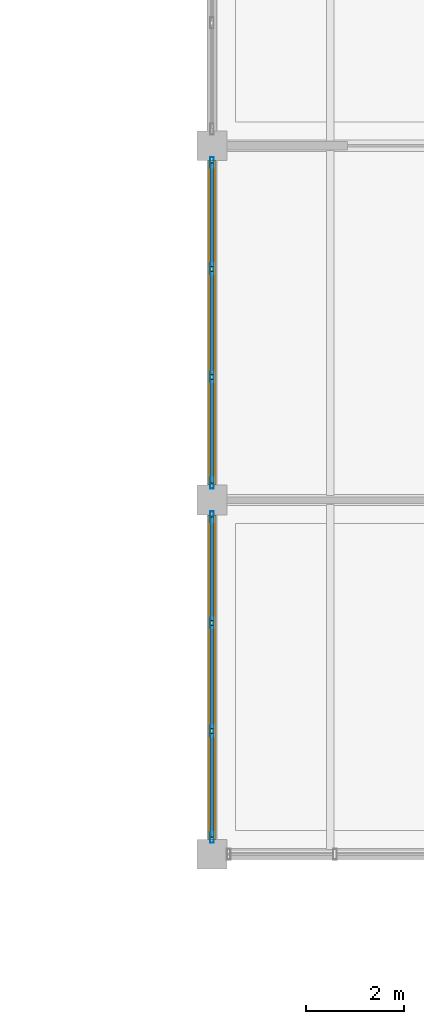
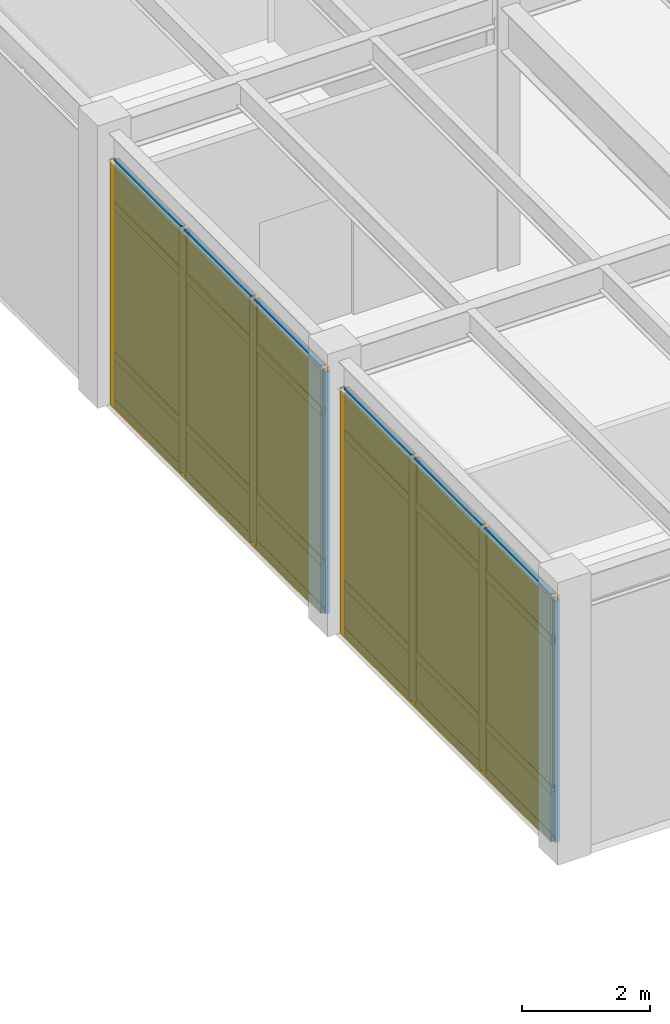
# One storey, part 48 of 97: 32 members, 12 plates, 2 curtain walls.
"""IFC4 building model written with IfcOpenShell, lengths in metres."""

import ifcopenshell
import ifcopenshell.guid

model = None  # the IFC model being written
_history = None  # IfcOwnerHistory: only IFC2X3 demands one
_inside = {}  # id of a spatial element -> (the spatial element, [elements in it])
_under = {}  # id of a project, library or spatial element -> (it, [spatial elements below it])
_declared = {}  # id of a project -> (the project, [libraries it declares])
_typed = {}  # id of a type object -> (the type object, [elements of that type])
_made_of = {}  # id of a material, layer set ... -> (it, [elements and type objects made of it])


def new_model(schema):
    """Start an empty IFC model of exactly this schema.

    Asked for "IFC4X3", IfcOpenShell would pick the latest addendum, in which some entities
    have other attributes; the version numbers below select the first issue.
    IFC2X3 requires an IfcOwnerHistory on every rooted entity: one is made here for all.
    """
    global model, _history
    if schema == "IFC4X3":
        model = ifcopenshell.file(schema_version=(4, 3, 0, 0))
    else:
        model = ifcopenshell.file(schema=schema)
    _inside.clear()
    _under.clear()
    _declared.clear()
    _typed.clear()
    _made_of.clear()
    _history = None
    if model.schema == "IFC2X3":
        org = make("IfcOrganization", Name="unknown")
        user = make(
            "IfcPersonAndOrganization",
            ThePerson=make("IfcPerson", FamilyName="unknown"),
            TheOrganization=org,
        )
        app = make(
            "IfcApplication",
            ApplicationDeveloper=org,
            Version="unknown",
            ApplicationFullName="unknown",
            ApplicationIdentifier="unknown",
        )
        _history = make(
            "IfcOwnerHistory",
            OwningUser=user,
            OwningApplication=app,
            ChangeAction="ADDED",
            CreationDate=0,
        )
    return model


def make(cls, **values):
    """One entity of the class cls with the attributes given. An attribute that is None is left unset."""
    return model.create_entity(
        cls, **{name: value for name, value in values.items() if value is not None}
    )


def rooted(cls, **values):
    """An entity with a GlobalId (a new one), such as an element, a storey or a relation."""
    return make(cls, GlobalId=ifcopenshell.guid.new(), OwnerHistory=_history, **values)


def si_unit(unit_type, name, prefix=None):
    """IfcSIUnit, for example si_unit("LENGTHUNIT", "METRE", prefix="MILLI")."""
    return make("IfcSIUnit", UnitType=unit_type, Prefix=prefix, Name=name)


def assignment(units):
    """IfcUnitAssignment: the units of a project."""
    return None if units is None else make("IfcUnitAssignment", Units=units)


def point(xyz):
    """IfcCartesianPoint."""
    return None if xyz is None else make("IfcCartesianPoint", Coordinates=xyz)


def direction(xyz):
    """IfcDirection."""
    return None if xyz is None else make("IfcDirection", DirectionRatios=xyz)


def frame(location, z_axis=None, x_axis=None):
    """IfcAxis2Placement3D, a coordinate frame: its origin and axes. An axis left out is left unset."""
    return make(
        "IfcAxis2Placement3D",
        Location=point(location),
        Axis=direction(z_axis),
        RefDirection=direction(x_axis),
    )


def frame_2d(location, x_axis=None):
    """IfcAxis2Placement2D, a coordinate frame in the plane: its origin and x axis."""
    return make(
        "IfcAxis2Placement2D", Location=point(location), RefDirection=direction(x_axis)
    )


def origin():
    """The frame at (0, 0, 0) with its axes left unset."""
    return frame((0.0, 0.0, 0.0))


def origin_2d():
    """The frame at (0, 0) in the plane with its x axis left unset."""
    return frame_2d((0.0, 0.0))


def place(relative_to, where):
    """IfcLocalPlacement: puts the frame where relative to a parent placement (None: the world)."""
    return make(
        "IfcLocalPlacement", PlacementRelTo=relative_to, RelativePlacement=where
    )


def context(
    kind, dimensions, precision=None, world=None, true_north=None, identifier=None
):
    """IfcGeometricRepresentationContext, for example the 3D "Model" context."""
    return make(
        "IfcGeometricRepresentationContext",
        ContextIdentifier=identifier,
        ContextType=kind,
        CoordinateSpaceDimension=dimensions,
        Precision=precision,
        WorldCoordinateSystem=world,
        TrueNorth=true_north,
    )


def subcontext(parent, identifier, kind, view, scale=None):
    """IfcGeometricRepresentationSubContext, for example "Body" below "Model"."""
    return make(
        "IfcGeometricRepresentationSubContext",
        ContextIdentifier=identifier,
        ContextType=kind,
        ParentContext=parent,
        TargetScale=scale,
        TargetView=view,
    )


def project(units=None, contexts=None):
    """IfcProject with its units and contexts."""
    return rooted(
        "IfcProject",
        Name="project",
        RepresentationContexts=contexts,
        UnitsInContext=assignment(units),
    )


def spatial(cls, under=None, at=None, **own):
    """A site, building, storey or space (cls), placed at a placement, below another one or the project."""
    s = rooted(cls, ObjectPlacement=at, **own)
    if under is not None:
        _under.setdefault(under.id(), (under, []))[1].append(s)
    return s


def profile(cls, at=None, kind="AREA", **sizes):
    """A parametric profile (cls). Its sizes go by their IFC names, for example OverallWidth=200.0."""
    return make(cls, ProfileType=kind, Position=at, **sizes)


def rectangle(**sizes):
    """IfcRectangleProfileDef."""
    return profile("IfcRectangleProfileDef", **sizes)


def hollow_rectangle(**sizes):
    """IfcRectangleHollowProfileDef."""
    return profile("IfcRectangleHollowProfileDef", **sizes)


def extrude(swept, where, along, depth):
    """IfcExtrudedAreaSolid: the profile swept, set in the frame where, extruded along a direction by depth."""
    return make(
        "IfcExtrudedAreaSolid",
        SweptArea=swept,
        Position=where,
        ExtrudedDirection=direction(along),
        Depth=depth,
    )


def shape(context_of_items, identifier, shape_type, items):
    """IfcShapeRepresentation: the items that make up one representation, for example the "Body"."""
    return make(
        "IfcShapeRepresentation",
        ContextOfItems=context_of_items,
        RepresentationIdentifier=identifier,
        RepresentationType=shape_type,
        Items=items,
    )


def material(Name=None, Category=None):
    """IfcMaterial."""
    return make("IfcMaterial", Name=Name, Category=Category)


def layer(
    of_material, thickness, ventilated=None, Name=None, Category=None, Priority=None
):
    """IfcMaterialLayer: one layer of a wall or slab, of a material (None: an air gap)."""
    return make(
        "IfcMaterialLayer",
        Material=of_material,
        LayerThickness=thickness,
        IsVentilated=ventilated,
        Name=Name,
        Category=Category,
        Priority=Priority,
    )


def layer_set(layers, Name=None):
    """IfcMaterialLayerSet."""
    return make("IfcMaterialLayerSet", MaterialLayers=layers, LayerSetName=Name)


def material_profile(
    of_material, cross_section, Name=None, Category=None, Priority=None
):
    """IfcMaterialProfile: a cross section and its material."""
    return make(
        "IfcMaterialProfile",
        Name=Name,
        Material=of_material,
        Profile=cross_section,
        Priority=Priority,
        Category=Category,
    )


def profile_set(profiles, Name=None, composite=None):
    """IfcMaterialProfileSet."""
    return make(
        "IfcMaterialProfileSet",
        Name=Name,
        MaterialProfiles=profiles,
        CompositeProfile=composite,
    )


def made_of(thing, what):
    """Note that an element or type object is made of a material, layer set ...; save() writes the relation."""
    if what is not None:
        _made_of.setdefault(what.id(), (what, []))[1].append(thing)
    return thing


def type_object(cls, material=None, **own):
    """A type object (cls), such as IfcWallType, which elements share."""
    return made_of(rooted(cls, **own), material)


def element(
    cls,
    number,
    at=None,
    inside=None,
    cuts=None,
    type_object=None,
    material=None,
    context=None,
    identifier="Body",
    shape_type=None,
    held_by="IfcProductDefinitionShape",
    body=None,
    shapes=None,
    **own,
):
    """One element of the class cls, such as IfcWall. Its Tag is "e" and its number.

    at: its placement. inside: the storey or other place that contains it. cuts: it is an
    opening in that element (IfcRelVoidsElement). A single representation is given by context,
    identifier, shape_type and body (its items); several are given by shapes. held_by: the class
    of the entity that holds the representations. save() writes the other relations.
    """
    e = rooted(cls, Tag="e%d" % number, ObjectPlacement=at, **own)
    if body is not None:
        shapes = [shape(context, identifier, shape_type, body)]
    if shapes is not None:
        e.Representation = make(held_by, Representations=shapes)
    if inside is not None:
        _inside.setdefault(inside.id(), (inside, []))[1].append(e)
    if cuts is not None:
        rooted(
            "IfcRelVoidsElement", RelatingBuildingElement=cuts, RelatedOpeningElement=e
        )
    if type_object is not None:
        _typed.setdefault(type_object.id(), (type_object, []))[1].append(e)
    return made_of(e, material)


def aggregate(whole, parts):
    """IfcRelAggregates: a whole, such as a stair, and the parts it consists of."""
    return rooted("IfcRelAggregates", RelatingObject=whole, RelatedObjects=parts)


def save(model, path):
    """Write the relations noted so far, then the file.

    IfcRelAggregates (storeys below a building ...), IfcRelContainedInSpatialStructure (elements
    in a storey), IfcRelDefinesByType, IfcRelAssociatesMaterial and IfcRelDeclares: one each for
    every whole, place, type object, material and project.
    """
    for whole, parts in _under.values():
        aggregate(whole, parts)
    for where, things in _inside.values():
        rooted(
            "IfcRelContainedInSpatialStructure",
            RelatedElements=things,
            RelatingStructure=where,
        )
    for kind, things in _typed.values():
        rooted("IfcRelDefinesByType", RelatedObjects=things, RelatingType=kind)
    for what, things in _made_of.values():
        rooted("IfcRelAssociatesMaterial", RelatedObjects=things, RelatingMaterial=what)
    for by, libraries in _declared.values():
        rooted("IfcRelDeclares", RelatingContext=by, RelatedDefinitions=libraries)
    model.write(path)


model = new_model("IFC4")

# Units and contexts
model_context = context("Model", 3, precision=1e-05, world=origin(), true_north=direction((0.0, 1.0)))
body_context = subcontext(model_context, "Body", "Model", "MODEL_VIEW")
ifc_project = project(units=[si_unit("LENGTHUNIT", "METRE"), si_unit("AREAUNIT", "SQUARE_METRE"), si_unit("VOLUMEUNIT", "CUBIC_METRE"), si_unit("PLANEANGLEUNIT", "RADIAN"), si_unit("MASSUNIT", "GRAM", prefix="KILO")], contexts=[model_context])

# Member
ifc_material_1 = material(Name="Anodized Aluminium 6063-T6", Category="aluminium")
ifc_material_profile_1 = material_profile(ifc_material_1, hollow_rectangle(XDim=0.074951171875, YDim=0.219970703125, WallThickness=0.0048828125, at=origin_2d()), Name="ALU 75x220x5")
ifc_profile_set_1 = profile_set([ifc_material_profile_1], Name="Anodized Aluminium 6063-T6")
member_type_1 = type_object("IfcMemberType", Name="CWM-75X180", PredefinedType="MULLION", material=ifc_profile_set_1)
site_placement = place(None, origin())
building_placement = place(site_placement, origin())
storey_placement = place(building_placement, origin())
member_1_placement = place(storey_placement, frame((64.800048828125, 7.5400390625, 0.02001953125), z_axis=(0.0, 0.0, 1.0), x_axis=(1.0, 0.0, 0.0)))
member_1 = element("IfcMember", 1, at=member_1_placement, type_object=member_type_1, Name="Curtain wall mullion CW-L01-09-01-W-00", PredefinedType="MULLION", context=body_context, shape_type="SweptSolid", body=[
    extrude(hollow_rectangle(XDim=0.074951171875, YDim=0.219970703125, WallThickness=0.0048828125, at=origin_2d()), origin(), (0.0, 0.0, 1.0), 4.626953125),
])

member_2_placement = place(storey_placement, frame((64.800048828125, 9.699951171875, 0.02001953125), z_axis=(0.0, 0.0, 1.0), x_axis=(1.0, 0.0, 0.0)))
member_2 = element("IfcMember", 2, at=member_2_placement, type_object=member_type_1, Name="Curtain wall mullion CW-L01-09-01-W-01", PredefinedType="MULLION", context=body_context, shape_type="SweptSolid", body=[
    extrude(hollow_rectangle(XDim=0.074951171875, YDim=0.219970703125, WallThickness=0.0048828125, at=origin_2d()), origin(), (0.0, 0.0, 1.0), 4.626953125),
])

member_3_placement = place(storey_placement, frame((64.800048828125, 11.89990234375, 0.02001953125), z_axis=(0.0, 0.0, 1.0), x_axis=(1.0, 0.0, 0.0)))
member_3 = element("IfcMember", 3, at=member_3_placement, type_object=member_type_1, Name="Curtain wall mullion CW-L01-09-01-W-02", PredefinedType="MULLION", context=body_context, shape_type="SweptSolid", body=[
    extrude(hollow_rectangle(XDim=0.074951171875, YDim=0.219970703125, WallThickness=0.0048828125, at=origin_2d()), origin(), (0.0, 0.0, 1.0), 4.626953125),
])

member_4_placement = place(storey_placement, frame((64.800048828125, 14.06005859375, 0.02001953125), z_axis=(0.0, 0.0, 1.0), x_axis=(1.0, 0.0, 0.0)))
member_4 = element("IfcMember", 4, at=member_4_placement, type_object=member_type_1, Name="Curtain wall mullion CW-L01-09-01-W-03", PredefinedType="MULLION", context=body_context, shape_type="SweptSolid", body=[
    extrude(hollow_rectangle(XDim=0.074951171875, YDim=0.219970703125, WallThickness=0.0048828125, at=origin_2d()), origin(), (0.0, 0.0, 1.0), 4.626953125),
])

member_5_placement = place(storey_placement, frame((64.800048828125, 14.739990234375, 0.02001953125), z_axis=(0.0, 0.0, 1.0), x_axis=(1.0, 0.0, 0.0)))
member_5 = element("IfcMember", 5, at=member_5_placement, type_object=member_type_1, Name="Curtain wall mullion CW-L01-09-02-W-00", PredefinedType="MULLION", context=body_context, shape_type="SweptSolid", body=[
    extrude(hollow_rectangle(XDim=0.074951171875, YDim=0.219970703125, WallThickness=0.0048828125, at=origin_2d()), origin(), (0.0, 0.0, 1.0), 4.626953125),
])

member_6_placement = place(storey_placement, frame((64.800048828125, 16.89990234375, 0.02001953125), z_axis=(0.0, 0.0, 1.0), x_axis=(1.0, 0.0, 0.0)))
member_6 = element("IfcMember", 6, at=member_6_placement, type_object=member_type_1, Name="Curtain wall mullion CW-L01-09-02-W-01", PredefinedType="MULLION", context=body_context, shape_type="SweptSolid", body=[
    extrude(hollow_rectangle(XDim=0.074951171875, YDim=0.219970703125, WallThickness=0.0048828125, at=origin_2d()), origin(), (0.0, 0.0, 1.0), 4.626953125),
])

member_7_placement = place(storey_placement, frame((64.800048828125, 19.10009765625, 0.02001953125), z_axis=(0.0, 0.0, 1.0), x_axis=(1.0, 0.0, 0.0)))
member_7 = element("IfcMember", 7, at=member_7_placement, type_object=member_type_1, Name="Curtain wall mullion CW-L01-09-02-W-02", PredefinedType="MULLION", context=body_context, shape_type="SweptSolid", body=[
    extrude(hollow_rectangle(XDim=0.074951171875, YDim=0.219970703125, WallThickness=0.0048828125, at=origin_2d()), origin(), (0.0, 0.0, 1.0), 4.626953125),
])

member_8_placement = place(storey_placement, frame((64.800048828125, 21.260009765625, 0.02001953125), z_axis=(0.0, 0.0, 1.0), x_axis=(1.0, 0.0, 0.0)))
member_8 = element("IfcMember", 8, at=member_8_placement, type_object=member_type_1, Name="Curtain wall mullion CW-L01-09-02-W-03", PredefinedType="MULLION", context=body_context, shape_type="SweptSolid", body=[
    extrude(hollow_rectangle(XDim=0.074951171875, YDim=0.219970703125, WallThickness=0.0048828125, at=origin_2d()), origin(), (0.0, 0.0, 1.0), 4.626953125),
])

ifc_material_profile_2 = material_profile(ifc_material_1, hollow_rectangle(XDim=0.074951171875, YDim=0.159912109375, WallThickness=0.00390625, at=origin_2d()), Name="ALU 75x160x4")
ifc_profile_set_2 = profile_set([ifc_material_profile_2], Name="Anodized Aluminium 6063-T6")
member_type_2 = type_object("IfcMemberType", Name="CWT-75X150", PredefinedType="USERDEFINED", material=ifc_profile_set_2)
member_9_placement = place(storey_placement, frame((64.800048828125, 7.550048828125, 0.050048828125), z_axis=(0.0, 1.0, 0.0), x_axis=(-1.0, 0.0, 0.0)))
member_9 = element("IfcMember", 9, at=member_9_placement, type_object=member_type_2, Name="Curtain wall transom CW-L01-09-01-W-1.01", ObjectType="TRANSOM", PredefinedType="USERDEFINED", context=body_context, shape_type="SweptSolid", body=[
    extrude(hollow_rectangle(XDim=0.074951171875, YDim=0.159912109375, WallThickness=0.00390625, at=origin_2d()), origin(), (0.0, 0.0, 1.0), 2.099853515625),
])

member_10_placement = place(storey_placement, frame((64.800048828125, 9.75, 0.050048828125), z_axis=(0.0, 1.0, 0.0), x_axis=(-1.0, 0.0, 0.0)))
member_10 = element("IfcMember", 10, at=member_10_placement, type_object=member_type_2, Name="Curtain wall transom CW-L01-09-01-W-1.02", ObjectType="TRANSOM", PredefinedType="USERDEFINED", context=body_context, shape_type="SweptSolid", body=[
    extrude(hollow_rectangle(XDim=0.074951171875, YDim=0.159912109375, WallThickness=0.00390625, at=origin_2d()), origin(), (0.0, 0.0, 1.0), 2.10009765625),
])

member_11_placement = place(storey_placement, frame((64.800048828125, 11.949951171875, 0.050048828125), z_axis=(0.0, 1.0, 0.0), x_axis=(-1.0, 0.0, 0.0)))
member_11 = element("IfcMember", 11, at=member_11_placement, type_object=member_type_2, Name="Curtain wall transom CW-L01-09-01-W-1.03", ObjectType="TRANSOM", PredefinedType="USERDEFINED", context=body_context, shape_type="SweptSolid", body=[
    extrude(hollow_rectangle(XDim=0.074951171875, YDim=0.159912109375, WallThickness=0.00390625, at=origin_2d()), origin(), (0.0, 0.0, 1.0), 2.10009765625),
])

member_12_placement = place(storey_placement, frame((64.800048828125, 7.550048828125, 0.949951171875), z_axis=(0.0, 1.0, 0.0), x_axis=(-1.0, 0.0, 0.0)))
member_12 = element("IfcMember", 12, at=member_12_placement, type_object=member_type_2, Name="Curtain wall transom CW-L01-09-01-W-2.01", ObjectType="TRANSOM", PredefinedType="USERDEFINED", context=body_context, shape_type="SweptSolid", body=[
    extrude(hollow_rectangle(XDim=0.074951171875, YDim=0.159912109375, WallThickness=0.00390625, at=origin_2d()), origin(), (0.0, 0.0, 1.0), 2.099853515625),
])

member_13_placement = place(storey_placement, frame((64.800048828125, 9.75, 0.949951171875), z_axis=(0.0, 1.0, 0.0), x_axis=(-1.0, 0.0, 0.0)))
member_13 = element("IfcMember", 13, at=member_13_placement, type_object=member_type_2, Name="Curtain wall transom CW-L01-09-01-W-2.02", ObjectType="TRANSOM", PredefinedType="USERDEFINED", context=body_context, shape_type="SweptSolid", body=[
    extrude(hollow_rectangle(XDim=0.074951171875, YDim=0.159912109375, WallThickness=0.00390625, at=origin_2d()), origin(), (0.0, 0.0, 1.0), 2.10009765625),
])

member_14_placement = place(storey_placement, frame((64.800048828125, 11.949951171875, 0.949951171875), z_axis=(0.0, 1.0, 0.0), x_axis=(-1.0, 0.0, 0.0)))
member_14 = element("IfcMember", 14, at=member_14_placement, type_object=member_type_2, Name="Curtain wall transom CW-L01-09-01-W-2.03", ObjectType="TRANSOM", PredefinedType="USERDEFINED", context=body_context, shape_type="SweptSolid", body=[
    extrude(hollow_rectangle(XDim=0.074951171875, YDim=0.159912109375, WallThickness=0.00390625, at=origin_2d()), origin(), (0.0, 0.0, 1.0), 2.10009765625),
])

member_15_placement = place(storey_placement, frame((64.800048828125, 7.550048828125, 3.81689453125), z_axis=(0.0, 1.0, 0.0), x_axis=(-1.0, 0.0, 0.0)))
member_15 = element("IfcMember", 15, at=member_15_placement, type_object=member_type_2, Name="Curtain wall transom CW-L01-09-01-W-3.01", ObjectType="TRANSOM", PredefinedType="USERDEFINED", context=body_context, shape_type="SweptSolid", body=[
    extrude(hollow_rectangle(XDim=0.074951171875, YDim=0.159912109375, WallThickness=0.00390625, at=origin_2d()), origin(), (0.0, 0.0, 1.0), 2.099853515625),
])

member_16_placement = place(storey_placement, frame((64.800048828125, 9.75, 3.81689453125), z_axis=(0.0, 1.0, 0.0), x_axis=(-1.0, 0.0, 0.0)))
member_16 = element("IfcMember", 16, at=member_16_placement, type_object=member_type_2, Name="Curtain wall transom CW-L01-09-01-W-3.02", ObjectType="TRANSOM", PredefinedType="USERDEFINED", context=body_context, shape_type="SweptSolid", body=[
    extrude(hollow_rectangle(XDim=0.074951171875, YDim=0.159912109375, WallThickness=0.00390625, at=origin_2d()), origin(), (0.0, 0.0, 1.0), 2.10009765625),
])

member_17_placement = place(storey_placement, frame((64.800048828125, 11.949951171875, 3.81689453125), z_axis=(0.0, 1.0, 0.0), x_axis=(-1.0, 0.0, 0.0)))
member_17 = element("IfcMember", 17, at=member_17_placement, type_object=member_type_2, Name="Curtain wall transom CW-L01-09-01-W-3.03", ObjectType="TRANSOM", PredefinedType="USERDEFINED", context=body_context, shape_type="SweptSolid", body=[
    extrude(hollow_rectangle(XDim=0.074951171875, YDim=0.159912109375, WallThickness=0.00390625, at=origin_2d()), origin(), (0.0, 0.0, 1.0), 2.10009765625),
])

member_18_placement = place(storey_placement, frame((64.800048828125, 7.550048828125, 4.616943359375), z_axis=(0.0, 1.0, 0.0), x_axis=(-1.0, 0.0, 0.0)))
member_18 = element("IfcMember", 18, at=member_18_placement, type_object=member_type_2, Name="Curtain wall transom CW-L01-09-01-W-4.01", ObjectType="TRANSOM", PredefinedType="USERDEFINED", context=body_context, shape_type="SweptSolid", body=[
    extrude(hollow_rectangle(XDim=0.074951171875, YDim=0.159912109375, WallThickness=0.00390625, at=origin_2d()), origin(), (0.0, 0.0, 1.0), 2.099853515625),
])

member_19_placement = place(storey_placement, frame((64.800048828125, 9.75, 4.616943359375), z_axis=(0.0, 1.0, 0.0), x_axis=(-1.0, 0.0, 0.0)))
member_19 = element("IfcMember", 19, at=member_19_placement, type_object=member_type_2, Name="Curtain wall transom CW-L01-09-01-W-4.02", ObjectType="TRANSOM", PredefinedType="USERDEFINED", context=body_context, shape_type="SweptSolid", body=[
    extrude(hollow_rectangle(XDim=0.074951171875, YDim=0.159912109375, WallThickness=0.00390625, at=origin_2d()), origin(), (0.0, 0.0, 1.0), 2.10009765625),
])

member_20_placement = place(storey_placement, frame((64.800048828125, 11.949951171875, 4.616943359375), z_axis=(0.0, 1.0, 0.0), x_axis=(-1.0, 0.0, 0.0)))
member_20 = element("IfcMember", 20, at=member_20_placement, type_object=member_type_2, Name="Curtain wall transom CW-L01-09-01-W-4.03", ObjectType="TRANSOM", PredefinedType="USERDEFINED", context=body_context, shape_type="SweptSolid", body=[
    extrude(hollow_rectangle(XDim=0.074951171875, YDim=0.159912109375, WallThickness=0.00390625, at=origin_2d()), origin(), (0.0, 0.0, 1.0), 2.10009765625),
])

member_21_placement = place(storey_placement, frame((64.800048828125, 14.75, 0.050048828125), z_axis=(0.0, 1.0, 0.0), x_axis=(-1.0, 0.0, 0.0)))
member_21 = element("IfcMember", 21, at=member_21_placement, type_object=member_type_2, Name="Curtain wall transom CW-L01-09-02-W-1.01", ObjectType="TRANSOM", PredefinedType="USERDEFINED", context=body_context, shape_type="SweptSolid", body=[
    extrude(hollow_rectangle(XDim=0.074951171875, YDim=0.159912109375, WallThickness=0.00390625, at=origin_2d()), origin(), (0.0, 0.0, 1.0), 2.10009765625),
])

member_22_placement = place(storey_placement, frame((64.800048828125, 16.949951171875, 0.050048828125), z_axis=(0.0, 1.0, 0.0), x_axis=(-1.0, 0.0, 0.0)))
member_22 = element("IfcMember", 22, at=member_22_placement, type_object=member_type_2, Name="Curtain wall transom CW-L01-09-02-W-1.02", ObjectType="TRANSOM", PredefinedType="USERDEFINED", context=body_context, shape_type="SweptSolid", body=[
    extrude(hollow_rectangle(XDim=0.074951171875, YDim=0.159912109375, WallThickness=0.00390625, at=origin_2d()), origin(), (0.0, 0.0, 1.0), 2.10009765625),
])

member_23_placement = place(storey_placement, frame((64.800048828125, 19.14990234375, 0.050048828125), z_axis=(0.0, 1.0, 0.0), x_axis=(-1.0, 0.0, 0.0)))
member_23 = element("IfcMember", 23, at=member_23_placement, type_object=member_type_2, Name="Curtain wall transom CW-L01-09-02-W-1.03", ObjectType="TRANSOM", PredefinedType="USERDEFINED", context=body_context, shape_type="SweptSolid", body=[
    extrude(hollow_rectangle(XDim=0.074951171875, YDim=0.159912109375, WallThickness=0.00390625, at=origin_2d()), origin(), (0.0, 0.0, 1.0), 2.10009765625),
])

member_24_placement = place(storey_placement, frame((64.800048828125, 14.75, 0.949951171875), z_axis=(0.0, 1.0, 0.0), x_axis=(-1.0, 0.0, 0.0)))
member_24 = element("IfcMember", 24, at=member_24_placement, type_object=member_type_2, Name="Curtain wall transom CW-L01-09-02-W-2.01", ObjectType="TRANSOM", PredefinedType="USERDEFINED", context=body_context, shape_type="SweptSolid", body=[
    extrude(hollow_rectangle(XDim=0.074951171875, YDim=0.159912109375, WallThickness=0.00390625, at=origin_2d()), origin(), (0.0, 0.0, 1.0), 2.10009765625),
])

member_25_placement = place(storey_placement, frame((64.800048828125, 16.949951171875, 0.949951171875), z_axis=(0.0, 1.0, 0.0), x_axis=(-1.0, 0.0, 0.0)))
member_25 = element("IfcMember", 25, at=member_25_placement, type_object=member_type_2, Name="Curtain wall transom CW-L01-09-02-W-2.02", ObjectType="TRANSOM", PredefinedType="USERDEFINED", context=body_context, shape_type="SweptSolid", body=[
    extrude(hollow_rectangle(XDim=0.074951171875, YDim=0.159912109375, WallThickness=0.00390625, at=origin_2d()), origin(), (0.0, 0.0, 1.0), 2.10009765625),
])

member_26_placement = place(storey_placement, frame((64.800048828125, 19.14990234375, 0.949951171875), z_axis=(0.0, 1.0, 0.0), x_axis=(-1.0, 0.0, 0.0)))
member_26 = element("IfcMember", 26, at=member_26_placement, type_object=member_type_2, Name="Curtain wall transom CW-L01-09-02-W-2.03", ObjectType="TRANSOM", PredefinedType="USERDEFINED", context=body_context, shape_type="SweptSolid", body=[
    extrude(hollow_rectangle(XDim=0.074951171875, YDim=0.159912109375, WallThickness=0.00390625, at=origin_2d()), origin(), (0.0, 0.0, 1.0), 2.10009765625),
])

member_27_placement = place(storey_placement, frame((64.800048828125, 14.75, 3.81689453125), z_axis=(0.0, 1.0, 0.0), x_axis=(-1.0, 0.0, 0.0)))
member_27 = element("IfcMember", 27, at=member_27_placement, type_object=member_type_2, Name="Curtain wall transom CW-L01-09-02-W-3.01", ObjectType="TRANSOM", PredefinedType="USERDEFINED", context=body_context, shape_type="SweptSolid", body=[
    extrude(hollow_rectangle(XDim=0.074951171875, YDim=0.159912109375, WallThickness=0.00390625, at=origin_2d()), origin(), (0.0, 0.0, 1.0), 2.10009765625),
])

member_28_placement = place(storey_placement, frame((64.800048828125, 16.949951171875, 3.81689453125), z_axis=(0.0, 1.0, 0.0), x_axis=(-1.0, 0.0, 0.0)))
member_28 = element("IfcMember", 28, at=member_28_placement, type_object=member_type_2, Name="Curtain wall transom CW-L01-09-02-W-3.02", ObjectType="TRANSOM", PredefinedType="USERDEFINED", context=body_context, shape_type="SweptSolid", body=[
    extrude(hollow_rectangle(XDim=0.074951171875, YDim=0.159912109375, WallThickness=0.00390625, at=origin_2d()), origin(), (0.0, 0.0, 1.0), 2.10009765625),
])

member_29_placement = place(storey_placement, frame((64.800048828125, 19.14990234375, 3.81689453125), z_axis=(0.0, 1.0, 0.0), x_axis=(-1.0, 0.0, 0.0)))
member_29 = element("IfcMember", 29, at=member_29_placement, type_object=member_type_2, Name="Curtain wall transom CW-L01-09-02-W-3.03", ObjectType="TRANSOM", PredefinedType="USERDEFINED", context=body_context, shape_type="SweptSolid", body=[
    extrude(hollow_rectangle(XDim=0.074951171875, YDim=0.159912109375, WallThickness=0.00390625, at=origin_2d()), origin(), (0.0, 0.0, 1.0), 2.10009765625),
])

member_30_placement = place(storey_placement, frame((64.800048828125, 14.75, 4.616943359375), z_axis=(0.0, 1.0, 0.0), x_axis=(-1.0, 0.0, 0.0)))
member_30 = element("IfcMember", 30, at=member_30_placement, type_object=member_type_2, Name="Curtain wall transom CW-L01-09-02-W-4.01", ObjectType="TRANSOM", PredefinedType="USERDEFINED", context=body_context, shape_type="SweptSolid", body=[
    extrude(hollow_rectangle(XDim=0.074951171875, YDim=0.159912109375, WallThickness=0.00390625, at=origin_2d()), origin(), (0.0, 0.0, 1.0), 2.10009765625),
])

member_31_placement = place(storey_placement, frame((64.800048828125, 16.949951171875, 4.616943359375), z_axis=(0.0, 1.0, 0.0), x_axis=(-1.0, 0.0, 0.0)))
member_31 = element("IfcMember", 31, at=member_31_placement, type_object=member_type_2, Name="Curtain wall transom CW-L01-09-02-W-4.02", ObjectType="TRANSOM", PredefinedType="USERDEFINED", context=body_context, shape_type="SweptSolid", body=[
    extrude(hollow_rectangle(XDim=0.074951171875, YDim=0.159912109375, WallThickness=0.00390625, at=origin_2d()), origin(), (0.0, 0.0, 1.0), 2.10009765625),
])

member_32_placement = place(storey_placement, frame((64.800048828125, 19.14990234375, 4.616943359375), z_axis=(0.0, 1.0, 0.0), x_axis=(-1.0, 0.0, 0.0)))
member_32 = element("IfcMember", 32, at=member_32_placement, type_object=member_type_2, Name="Curtain wall transom CW-L01-09-02-W-4.03", ObjectType="TRANSOM", PredefinedType="USERDEFINED", context=body_context, shape_type="SweptSolid", body=[
    extrude(hollow_rectangle(XDim=0.074951171875, YDim=0.159912109375, WallThickness=0.00390625, at=origin_2d()), origin(), (0.0, 0.0, 1.0), 2.10009765625),
])

# Plate
ifc_material_2 = material(Name="Acoustic Laminated Low-E Glazing", Category="glass")
ifc_layer_1 = layer(ifc_material_2, 0.0439453125)
ifc_layer_set_1 = layer_set([ifc_layer_1], Name="Acoustic Laminated Low-E Glazing")
plate_type_1 = type_object("IfcPlateType", Name="CWP-IGU-44", PredefinedType="CURTAIN_PANEL", material=ifc_layer_set_1)
plate_1_placement = place(storey_placement, frame((64.800048828125, 8.60009765625, 0.990234375), z_axis=(0.0, 0.0, 1.0), x_axis=(0.0, 1.0, 0.0)))
plate_1 = element("IfcPlate", 33, at=plate_1_placement, type_object=plate_type_1, Name="Curtain wall vision glazing CW-L01-09-01-W-01", PredefinedType="CURTAIN_PANEL", context=body_context, shape_type="SweptSolid", body=[
    extrude(rectangle(XDim=2.110107421875, YDim=0.0400390625, at=origin_2d()), origin(), (0.0, 0.0, 1.0), 3.616943359375),
])

plate_2_placement = place(storey_placement, frame((64.800048828125, 10.800048828125, 0.990234375), z_axis=(0.0, 0.0, 1.0), x_axis=(0.0, 1.0, 0.0)))
plate_2 = element("IfcPlate", 34, at=plate_2_placement, type_object=plate_type_1, Name="Curtain wall vision glazing CW-L01-09-01-W-02", PredefinedType="CURTAIN_PANEL", context=body_context, shape_type="SweptSolid", body=[
    extrude(rectangle(XDim=2.110107421875, YDim=0.0400390625, at=origin_2d()), origin(), (0.0, 0.0, 1.0), 3.616943359375),
])

plate_3_placement = place(storey_placement, frame((64.800048828125, 13.0, 0.990234375), z_axis=(0.0, 0.0, 1.0), x_axis=(0.0, 1.0, 0.0)))
plate_3 = element("IfcPlate", 35, at=plate_3_placement, type_object=plate_type_1, Name="Curtain wall vision glazing CW-L01-09-01-W-03", PredefinedType="CURTAIN_PANEL", context=body_context, shape_type="SweptSolid", body=[
    extrude(rectangle(XDim=2.110107421875, YDim=0.0400390625, at=origin_2d()), origin(), (0.0, 0.0, 1.0), 3.616943359375),
])

plate_4_placement = place(storey_placement, frame((64.800048828125, 15.800048828125, 0.990234375), z_axis=(0.0, 0.0, 1.0), x_axis=(0.0, 1.0, 0.0)))
plate_4 = element("IfcPlate", 36, at=plate_4_placement, type_object=plate_type_1, Name="Curtain wall vision glazing CW-L01-09-02-W-01", PredefinedType="CURTAIN_PANEL", context=body_context, shape_type="SweptSolid", body=[
    extrude(rectangle(XDim=2.110107421875, YDim=0.0400390625, at=origin_2d()), origin(), (0.0, 0.0, 1.0), 3.616943359375),
])

plate_5_placement = place(storey_placement, frame((64.800048828125, 18.0, 0.990234375), z_axis=(0.0, 0.0, 1.0), x_axis=(0.0, 1.0, 0.0)))
plate_5 = element("IfcPlate", 37, at=plate_5_placement, type_object=plate_type_1, Name="Curtain wall vision glazing CW-L01-09-02-W-02", PredefinedType="CURTAIN_PANEL", context=body_context, shape_type="SweptSolid", body=[
    extrude(rectangle(XDim=2.110107421875, YDim=0.0400390625, at=origin_2d()), origin(), (0.0, 0.0, 1.0), 3.616943359375),
])

plate_6_placement = place(storey_placement, frame((64.800048828125, 20.199951171875, 0.990234375), z_axis=(0.0, 0.0, 1.0), x_axis=(0.0, 1.0, 0.0)))
plate_6 = element("IfcPlate", 38, at=plate_6_placement, type_object=plate_type_1, Name="Curtain wall vision glazing CW-L01-09-02-W-03", PredefinedType="CURTAIN_PANEL", context=body_context, shape_type="SweptSolid", body=[
    extrude(rectangle(XDim=2.110107421875, YDim=0.0400390625, at=origin_2d()), origin(), (0.0, 0.0, 1.0), 3.616943359375),
])

ifc_material_3 = material(Name="Insulated Stone-Composite Spandrel", Category="masonry")
ifc_layer_2 = layer(ifc_material_3, 0.068115234375)
ifc_layer_set_2 = layer_set([ifc_layer_2], Name="Insulated Stone-Composite Spandrel")
plate_type_2 = type_object("IfcPlateType", Name="CWP-SPN-68", PredefinedType="CURTAIN_PANEL", material=ifc_layer_set_2)
plate_7_placement = place(storey_placement, frame((64.800048828125, 8.60009765625, 0.080078125), z_axis=(0.0, 0.0, 1.0), x_axis=(0.0, 1.0, 0.0)))
plate_7 = element("IfcPlate", 39, at=plate_7_placement, type_object=plate_type_2, Name="Curtain wall spandrel panel CW-L01-09-01-W-01", PredefinedType="CURTAIN_PANEL", context=body_context, shape_type="SweptSolid", body=[
    extrude(rectangle(XDim=2.110107421875, YDim=0.06005859375, at=origin_2d()), origin(), (0.0, 0.0, 1.0), 0.840087890625),
])

plate_8_placement = place(storey_placement, frame((64.800048828125, 10.800048828125, 0.080078125), z_axis=(0.0, 0.0, 1.0), x_axis=(0.0, 1.0, 0.0)))
plate_8 = element("IfcPlate", 40, at=plate_8_placement, type_object=plate_type_2, Name="Curtain wall spandrel panel CW-L01-09-01-W-02", PredefinedType="CURTAIN_PANEL", context=body_context, shape_type="SweptSolid", body=[
    extrude(rectangle(XDim=2.110107421875, YDim=0.06005859375, at=origin_2d()), origin(), (0.0, 0.0, 1.0), 0.840087890625),
])

plate_9_placement = place(storey_placement, frame((64.800048828125, 13.0, 0.080078125), z_axis=(0.0, 0.0, 1.0), x_axis=(0.0, 1.0, 0.0)))
plate_9 = element("IfcPlate", 41, at=plate_9_placement, type_object=plate_type_2, Name="Curtain wall spandrel panel CW-L01-09-01-W-03", PredefinedType="CURTAIN_PANEL", context=body_context, shape_type="SweptSolid", body=[
    extrude(rectangle(XDim=2.110107421875, YDim=0.06005859375, at=origin_2d()), origin(), (0.0, 0.0, 1.0), 0.840087890625),
])

plate_10_placement = place(storey_placement, frame((64.800048828125, 15.800048828125, 0.080078125), z_axis=(0.0, 0.0, 1.0), x_axis=(0.0, 1.0, 0.0)))
plate_10 = element("IfcPlate", 42, at=plate_10_placement, type_object=plate_type_2, Name="Curtain wall spandrel panel CW-L01-09-02-W-01", PredefinedType="CURTAIN_PANEL", context=body_context, shape_type="SweptSolid", body=[
    extrude(rectangle(XDim=2.110107421875, YDim=0.06005859375, at=origin_2d()), origin(), (0.0, 0.0, 1.0), 0.840087890625),
])

plate_11_placement = place(storey_placement, frame((64.800048828125, 18.0, 0.080078125), z_axis=(0.0, 0.0, 1.0), x_axis=(0.0, 1.0, 0.0)))
plate_11 = element("IfcPlate", 43, at=plate_11_placement, type_object=plate_type_2, Name="Curtain wall spandrel panel CW-L01-09-02-W-02", PredefinedType="CURTAIN_PANEL", context=body_context, shape_type="SweptSolid", body=[
    extrude(rectangle(XDim=2.110107421875, YDim=0.06005859375, at=origin_2d()), origin(), (0.0, 0.0, 1.0), 0.840087890625),
])

plate_12_placement = place(storey_placement, frame((64.800048828125, 20.199951171875, 0.080078125), z_axis=(0.0, 0.0, 1.0), x_axis=(0.0, 1.0, 0.0)))
plate_12 = element("IfcPlate", 44, at=plate_12_placement, type_object=plate_type_2, Name="Curtain wall spandrel panel CW-L01-09-02-W-03", PredefinedType="CURTAIN_PANEL", context=body_context, shape_type="SweptSolid", body=[
    extrude(rectangle(XDim=2.110107421875, YDim=0.06005859375, at=origin_2d()), origin(), (0.0, 0.0, 1.0), 0.840087890625),
])

# Site, building, storey
site = spatial("IfcSite", under=ifc_project, at=site_placement, CompositionType="ELEMENT")
building = spatial("IfcBuilding", under=site, at=building_placement, Name="Sillqori Civic Hall", CompositionType="ELEMENT")
storey = spatial("IfcBuildingStorey", under=building, at=storey_placement, Name="L01", CompositionType="ELEMENT", Elevation=0.0)

# Curtain wall
ifc_material_4 = material(Name="Anodized Aluminium Curtain Wall System", Category="aluminium")
curtain_wall_type = type_object("IfcCurtainWallType", Name="CW-SF-480", PredefinedType="NOTDEFINED", material=ifc_material_4)
curtain_wall_1_placement = place(storey_placement, frame((64.800048828125, 10.800048828125, 0.0), z_axis=(0.0, 0.0, 1.0), x_axis=(0.0, 1.0, 0.0)))
curtain_wall_1 = element("IfcCurtainWall", 45, at=curtain_wall_1_placement, inside=storey, type_object=curtain_wall_type, Name="L01 unitised curtain wall CW-L01-09-01-W", PredefinedType="NOTDEFINED", context=body_context, shape_type="SweptSolid", body=[
    extrude(rectangle(XDim=6.60009765625, YDim=0.159912109375, at=origin_2d()), origin(), (0.0, 0.0, 1.0), 4.6669921875),
])

aggregate(curtain_wall_1, [member_1, member_2, member_3, member_4, member_9, member_10, member_11, member_12, member_13, member_14, member_15, member_16, member_17, member_18, member_19, member_20, plate_7, plate_1, plate_8, plate_2, plate_9, plate_3])

curtain_wall_2_placement = place(storey_placement, frame((64.800048828125, 18.0, 0.0), z_axis=(0.0, 0.0, 1.0), x_axis=(0.0, 1.0, 0.0)))
curtain_wall_2 = element("IfcCurtainWall", 46, at=curtain_wall_2_placement, inside=storey, type_object=curtain_wall_type, Name="L01 unitised curtain wall CW-L01-09-02-W", PredefinedType="NOTDEFINED", context=body_context, shape_type="SweptSolid", body=[
    extrude(rectangle(XDim=6.60009765625, YDim=0.159912109375, at=origin_2d()), origin(), (0.0, 0.0, 1.0), 4.6669921875),
])

aggregate(curtain_wall_2, [member_5, member_6, member_7, member_8, member_21, member_22, member_23, member_24, member_25, member_26, member_27, member_28, member_29, member_30, member_31, member_32, plate_10, plate_4, plate_11, plate_5, plate_12, plate_6])

save(model, "model.ifc")
